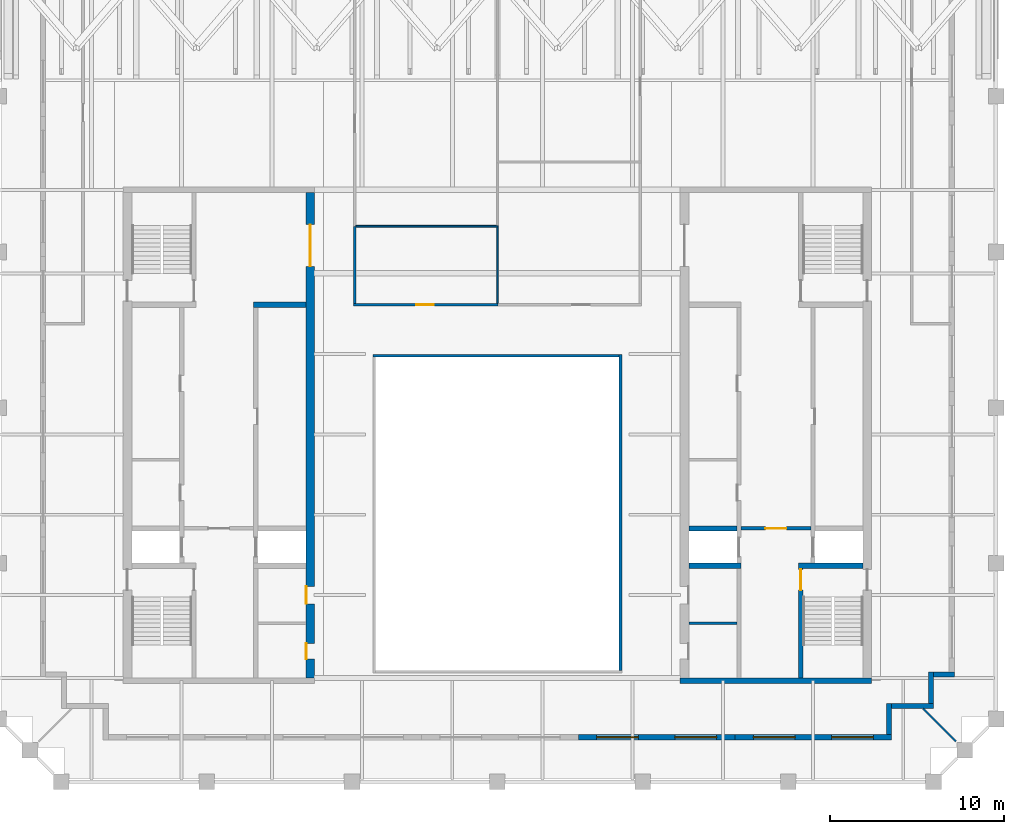
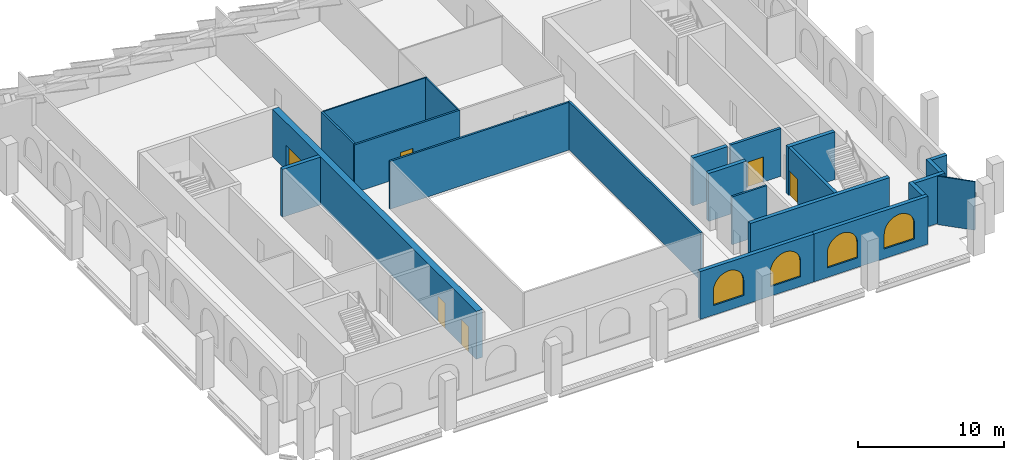
# One storey, part 4 of 8: 22 walls, 6 doors, 4 windows, 10 openings.
"""IFC4 building model written with IfcOpenShell, lengths in metres."""

from ifc_helpers import new_model, si_unit, direction, frame, frame_2d, origin, place, context, subcontext, project, spatial, polyline, rectangle, outline, extrude, material, layer, layer_set, type_object, element, fill, save


model = new_model("IFC4")

# Units and contexts
model_context = context("Model", 3, precision=1e-05, world=origin(), true_north=direction((0.0, 1.0)))
body_context = subcontext(model_context, "Body", "Model", "MODEL_VIEW")
ifc_project = project(units=[si_unit("LENGTHUNIT", "METRE"), si_unit("AREAUNIT", "SQUARE_METRE"), si_unit("VOLUMEUNIT", "CUBIC_METRE"), si_unit("PLANEANGLEUNIT", "RADIAN"), si_unit("MASSUNIT", "GRAM", prefix="KILO")], contexts=[model_context])

# Site, building, storey
site_placement = place(None, origin())
site = spatial("IfcSite", under=ifc_project, at=site_placement, CompositionType="ELEMENT")
building_placement = place(site_placement, origin())
building = spatial("IfcBuilding", under=site, at=building_placement, Name="Ogive Exchange Tower", CompositionType="ELEMENT")
storey_placement = place(building_placement, frame((0.0, 0.0, 381.60009765625)))
storey = spatial("IfcBuildingStorey", under=building, at=storey_placement, Name="C04", CompositionType="ELEMENT", Elevation=381.60009765625)

# Walls
ifc_material_1 = material(Name="Gypsum board partition")
ifc_layer_1 = layer(ifc_material_1, 0.14990234375)
ifc_layer_set_1 = layer_set([ifc_layer_1], Name="Core room partition 150 gypsum")
wall_type_1 = type_object("IfcWallType", Name="Core room partition 150 gypsum", PredefinedType="PARTITIONING", material=ifc_layer_set_1)
wall_1_placement = place(storey_placement, frame((11.0, 0.699951171875, 0.0), z_axis=(0.0, 0.0, 1.0), x_axis=(1.0, 0.0, 0.0)))
element("IfcWall", 1, at=wall_1_placement, inside=storey, type_object=wall_type_1, Name="E south room partition", PredefinedType="PARTITIONING", context=body_context, shape_type="SweptSolid", body=[
    extrude(rectangle(XDim=2.75, YDim=0.14990234375, at=frame_2d((1.375, 0.0))), origin(), (0.0, 0.0, 1.0), 4.0),
])
ifc_layer_2 = layer(ifc_material_1, 0.300048828125)
ifc_layer_set_2 = layer_set([ifc_layer_2], Name="Core room partition 300 gypsum")
wall_type_2 = type_object("IfcWallType", Name="Core room partition 300 gypsum", PredefinedType="PARTITIONING", material=ifc_layer_set_2)
wall_2_placement = place(storey_placement, frame((-14.0, 19.0, 0.0), z_axis=(0.0, 0.0, 1.0), x_axis=(1.0, 0.0, 0.0)))
element("IfcWall", 2, at=wall_2_placement, inside=storey, type_object=wall_type_2, Name="W row B room end wall 7", PredefinedType="PARTITIONING", context=body_context, shape_type="SweptSolid", body=[
    extrude(rectangle(XDim=3.0, YDim=0.300048828125, at=frame_2d((1.5, 0.0))), origin(), (0.0, 0.0, 1.0), 4.0),
])

# Wall, opening, door
ifc_material_2 = material(Name="Fire partition EI 60 150")
ifc_layer_3 = layer(ifc_material_2, 0.14990234375)
ifc_layer_set_3 = layer_set([ifc_layer_3], Name="Fire partition EI 60 150")
wall_type_3 = type_object("IfcWallType", Name="Fire partition EI 60 150", PredefinedType="PARTITIONING", material=ifc_layer_set_3)
wall_3_placement = place(storey_placement, frame((-8.27490234375, 19.0, 0.0), z_axis=(0.0, 0.0, 1.0), x_axis=(1.0, 0.0, 0.0)))
wall_3 = element("IfcWall", 3, at=wall_3_placement, inside=storey, type_object=wall_type_3, Name="C04-PWL-003", PredefinedType="PARTITIONING", context=body_context, shape_type="SweptSolid", body=[
    extrude(rectangle(XDim=8.324951171875, YDim=0.14990234375, at=frame_2d((4.16259765625, 0.0))), origin(), (0.0, 0.0, 1.0), 4.0),
])
opening_1_placement = place(wall_3_placement, frame((3.625, 0.0, 0.0)))
opening_1 = element("IfcOpeningElement", 4, at=opening_1_placement, cuts=wall_3, Name="Opening C04-I03", PredefinedType="OPENING", context=body_context, shape_type="SweptSolid", body=[
    extrude(rectangle(XDim=1.0, YDim=2.10009765625, at=frame_2d((0.5, 1.050048828125))), frame((0.0, 0.0849609375, 0.0), z_axis=(0.0, -1.0, 0.0), x_axis=(1.0, 0.0, 0.0)), (0.0, 0.0, 1.0), 0.169921875),
])
ifc_material_3 = material(Name="Fire door FD 30S 1000 x 2100")
door_type_1 = type_object("IfcDoorType", Name="Fire door FD 30S 1000 x 2100", OperationType="NOTDEFINED", PredefinedType="DOOR", material=ifc_material_3)
door_1_placement = place(opening_1_placement, origin())
door_1 = element("IfcDoor", 5, at=door_1_placement, inside=storey, type_object=door_type_1, Name="C04-IDR-003", ObjectType="DT3", OperationType="SINGLE_SWING_RIGHT", OverallHeight=2.10009765625, OverallWidth=1.0, PredefinedType="DOOR", context=body_context, shape_type="SweptSolid", body=[
    extrude(rectangle(XDim=1.0, YDim=2.10009765625, at=frame_2d((0.5, 1.050048828125))), frame((0.0, 0.02490234375, 0.0), z_axis=(0.0, -1.0, 0.0), x_axis=(1.0, 0.0, 0.0)), (0.0, 0.0, 1.0), 0.050048828125),
])
fill(opening_1, door_1)

# Walls
wall_4_placement = place(storey_placement, frame((-8.199951171875, 23.5, 0.0), z_axis=(0.0, 0.0, 1.0), x_axis=(0.0, -1.0, 0.0)))
element("IfcWall", 6, at=wall_4_placement, inside=storey, type_object=wall_type_3, Name="C04-PWL-004", PredefinedType="PARTITIONING", context=body_context, shape_type="SweptSolid", body=[
    extrude(rectangle(XDim=4.425048828125, YDim=0.14990234375, at=frame_2d((2.21240234375, 0.0))), origin(), (0.0, 0.0, 1.0), 4.0),
])
ifc_material_4 = material(Name="Fire-resisting glass in steel frame", Category="steel")
ifc_layer_4 = layer(ifc_material_4, 0.14990234375)
ifc_layer_set_4 = layer_set([ifc_layer_4], Name="Fire-rated glazed wall 150")
wall_type_4 = type_object("IfcWallType", Name="Fire-rated glazed wall 150", PredefinedType="STANDARD", material=ifc_layer_set_4)
wall_5_placement = place(storey_placement, frame((-7.14990234375, 16.074951171875, 0.0), z_axis=(0.0, 0.0, 1.0), x_axis=(1.0, 0.0, 0.0)))
element("IfcWall", 7, at=wall_5_placement, inside=storey, type_object=wall_type_4, Name="Nave enclosure wall 2", PredefinedType="STANDARD", context=body_context, shape_type="SweptSolid", body=[
    extrude(rectangle(XDim=14.14990234375, YDim=0.14990234375, at=frame_2d((7.074951171875, 0.0))), origin(), (0.0, 0.0, 1.0), 4.0),
])
wall_6_placement = place(storey_placement, frame((7.074951171875, 16.14990234375, 0.0), z_axis=(0.0, 0.0, 1.0), x_axis=(0.0, -1.0, 0.0)))
element("IfcWall", 8, at=wall_6_placement, inside=storey, type_object=wall_type_4, Name="Nave enclosure wall 3", PredefinedType="STANDARD", context=body_context, shape_type="SweptSolid", body=[
    extrude(rectangle(XDim=18.14990234375, YDim=0.14990234375, at=frame_2d((9.074951171875, 0.0))), origin(), (0.0, 0.0, 1.0), 4.0),
])
ifc_material_5 = material(Name="Laminated safety glass in steel frame", Category="steel")
ifc_layer_5 = layer(ifc_material_5, 0.10009765625)
ifc_layer_set_5 = layer_set([ifc_layer_5], Name="Loggia end screen 100")
wall_type_5 = type_object("IfcWallType", Name="Loggia end screen 100", PredefinedType="STANDARD", material=ifc_layer_set_5)
wall_7_placement = place(storey_placement, frame((24.449951171875, -4.199951171875, -0.050048828125), z_axis=(0.0, 0.0, 1.0), x_axis=(0.707106781187, -0.707106781187, 0.0)))
element("IfcWall", 9, at=wall_7_placement, inside=storey, type_object=wall_type_5, Name="Loggia end screen C1", PredefinedType="STANDARD", context=body_context, shape_type="SweptSolid", body=[
    extrude(rectangle(XDim=2.667236328125, YDim=0.10009765625, at=frame_2d((1.33349609375, 0.0))), origin(), (0.0, 0.0, 1.0), 4.050048828125),
])
ifc_material_6 = material(Name="Partition 100 gypsum")
ifc_layer_6 = layer(ifc_material_6, 0.10009765625)
ifc_layer_set_6 = layer_set([ifc_layer_6], Name="Partition 100 gypsum")
wall_type_6 = type_object("IfcWallType", Name="Partition 100 gypsum", PredefinedType="PARTITIONING", material=ifc_layer_set_6)
wall_8_placement = place(storey_placement, frame((-8.125, 23.5, 0.0), z_axis=(0.0, 0.0, 1.0), x_axis=(1.0, 0.0, 0.0)))
element("IfcWall", 10, at=wall_8_placement, inside=storey, type_object=wall_type_6, Name="C04-PWL-005", PredefinedType="PARTITIONING", context=body_context, shape_type="SweptSolid", body=[
    extrude(rectangle(XDim=8.175048828125, YDim=0.10009765625, at=frame_2d((4.08740234375, 0.0))), origin(), (0.0, 0.0, 1.0), 4.0),
])
wall_9_placement = place(storey_placement, frame((0.0, 19.074951171875, 0.0), z_axis=(0.0, 0.0, 1.0), x_axis=(0.0, 1.0, 0.0)))
element("IfcWall", 11, at=wall_9_placement, inside=storey, type_object=wall_type_6, Name="C04-PWL-007", PredefinedType="PARTITIONING", context=body_context, shape_type="SweptSolid", body=[
    extrude(rectangle(XDim=4.375, YDim=0.10009765625, at=frame_2d((2.1875, 0.0))), origin(), (0.0, 0.0, 1.0), 4.0),
])

# Wall, opening, door
ifc_material_7 = material(Name="Concrete C70/85", Category="concrete")
ifc_layer_7 = layer(ifc_material_7, 0.199951171875)
ifc_layer_set_7 = layer_set([ifc_layer_7], Name="RC core wall 200 C70/85")
wall_type_7 = type_object("IfcWallType", Name="RC core wall 200 C70/85", PredefinedType="SHEAR", material=ifc_layer_set_7)
wall_10_placement = place(storey_placement, frame((14.0, 6.142822265625, 0.0), z_axis=(0.0, 0.0, 1.0), x_axis=(1.0, 0.0, 0.0)))
wall_10 = element("IfcWall", 12, at=wall_10_placement, inside=storey, type_object=wall_type_7, Name="E firefighting lobby wall", PredefinedType="SHEAR", context=body_context, shape_type="SweptSolid", body=[
    extrude(rectangle(XDim=4.0, YDim=0.199951171875, at=frame_2d((2.0, 0.0))), origin(), (0.0, 0.0, 1.0), 4.0),
])
opening_2_placement = place(wall_10_placement, frame((1.39990234375, 0.0, 0.0)))
opening_2 = element("IfcOpeningElement", 13, at=opening_2_placement, cuts=wall_10, Name="Opening C04-C19", PredefinedType="OPENING", context=body_context, shape_type="SweptSolid", body=[
    extrude(rectangle(XDim=1.199951171875, YDim=2.10009765625, at=frame_2d((0.60009765625, 1.050048828125))), frame((0.0, 0.10986328125, 0.0), z_axis=(0.0, -1.0, 0.0), x_axis=(1.0, 0.0, 0.0)), (0.0, 0.0, 1.0), 0.219970703125),
])
ifc_material_8 = material(Name="Steel fire door", Category="steel")
door_type_2 = type_object("IfcDoorType", Name="Firefighting lobby door FD60 1200 x 2100", OperationType="NOTDEFINED", PredefinedType="DOOR", material=ifc_material_8)
door_2_placement = place(opening_2_placement, frame((1.199951171875, 0.0, 0.0), z_axis=(0.0, 0.0, 1.0), x_axis=(-1.0, 0.0, 0.0)))
door_2 = element("IfcDoor", 14, at=door_2_placement, inside=storey, type_object=door_type_2, Name="Firefighting lobby door", ObjectType="CD3", OperationType="SINGLE_SWING_RIGHT", OverallHeight=2.10009765625, OverallWidth=1.199951171875, PredefinedType="DOOR", context=body_context, shape_type="SweptSolid", body=[
    extrude(rectangle(XDim=1.199951171875, YDim=2.10009765625, at=frame_2d((0.60009765625, 1.050048828125))), frame((0.0, 0.02490234375, 0.0), z_axis=(0.0, -1.0, 0.0), x_axis=(1.0, 0.0, 0.0)), (0.0, 0.0, 1.0), 0.050048828125),
])
fill(opening_2, door_2)

ifc_layer_8 = layer(ifc_material_7, 0.25)
ifc_layer_set_8 = layer_set([ifc_layer_8], Name="RC core wall 250 C70/85")
wall_type_8 = type_object("IfcWallType", Name="RC core wall 250 C70/85", PredefinedType="SHEAR", material=ifc_layer_set_8)
wall_11_placement = place(storey_placement, frame((17.425048828125, -2.449951171875, 0.0), z_axis=(0.0, 0.0, 1.0), x_axis=(0.0, 1.0, 0.0)))
wall_11 = element("IfcWall", 15, at=wall_11_placement, inside=storey, type_object=wall_type_8, Name="E stair S front wall", PredefinedType="SHEAR", context=body_context, shape_type="SweptSolid", body=[
    extrude(rectangle(XDim=6.300048828125, YDim=0.25, at=frame_2d((3.14990234375, 0.0))), origin(), (0.0, 0.0, 1.0), 4.0),
])
opening_3_placement = place(wall_11_placement, frame((5.050048828125, 0.0, 0.0)))
opening_3 = element("IfcOpeningElement", 16, at=opening_3_placement, cuts=wall_11, Name="Opening C04-C21", PredefinedType="OPENING", context=body_context, shape_type="SweptSolid", body=[
    extrude(rectangle(XDim=1.199951171875, YDim=2.10009765625, at=frame_2d((0.60009765625, 1.050048828125))), frame((0.0, 0.135009765625, 0.0), z_axis=(0.0, -1.0, 0.0), x_axis=(1.0, 0.0, 0.0)), (0.0, 0.0, 1.0), 0.27001953125),
])
door_type_3 = type_object("IfcDoorType", Name="Stair door FD90 1200 x 2100", OperationType="NOTDEFINED", PredefinedType="DOOR", material=ifc_material_8)
door_3_placement = place(opening_3_placement, frame((1.199951171875, 0.0, 0.0), z_axis=(0.0, 0.0, 1.0), x_axis=(-1.0, 0.0, 0.0)))
door_3 = element("IfcDoor", 17, at=door_3_placement, inside=storey, type_object=door_type_3, Name="Stair door", ObjectType="CD5", OperationType="SINGLE_SWING_RIGHT", OverallHeight=2.10009765625, OverallWidth=1.199951171875, PredefinedType="DOOR", context=body_context, shape_type="SweptSolid", body=[
    extrude(rectangle(XDim=1.199951171875, YDim=2.10009765625, at=frame_2d((0.60009765625, 1.050048828125))), frame((0.0, 0.02490234375, 0.0), z_axis=(0.0, -1.0, 0.0), x_axis=(1.0, 0.0, 0.0)), (0.0, 0.0, 1.0), 0.050048828125),
])
fill(opening_3, door_3)

# Walls
ifc_layer_9 = layer(ifc_material_7, 0.300048828125)
ifc_layer_set_9 = layer_set([ifc_layer_9], Name="RC core wall 300 C70/85")
wall_type_9 = type_object("IfcWallType", Name="RC core wall 300 C70/85", PredefinedType="SHEAR", material=ifc_layer_set_9)
wall_12_placement = place(storey_placement, frame((10.5, -2.60009765625, 0.0), z_axis=(0.0, 0.0, 1.0), x_axis=(1.0, 0.0, 0.0)))
element("IfcWall", 18, at=wall_12_placement, inside=storey, type_object=wall_type_9, Name="E south end wall", PredefinedType="SHEAR", context=body_context, shape_type="SweptSolid", body=[
    extrude(rectangle(XDim=11.0, YDim=0.300048828125, at=frame_2d((5.5, 0.0))), origin(), (0.0, 0.0, 1.0), 4.0),
])
wall_13_placement = place(storey_placement, frame((17.300048828125, 4.0, 0.0), z_axis=(0.0, 0.0, 1.0), x_axis=(1.0, 0.0, 0.0)))
element("IfcWall", 19, at=wall_13_placement, inside=storey, type_object=wall_type_9, Name="E stair S north wall", PredefinedType="SHEAR", context=body_context, shape_type="SweptSolid", body=[
    extrude(rectangle(XDim=3.699951171875, YDim=0.300048828125, at=frame_2d((1.85009765625, 0.0))), origin(), (0.0, 0.0, 1.0), 4.0),
])
wall_14_placement = place(storey_placement, frame((11.0, 4.0, 0.0), z_axis=(0.0, 0.0, 1.0), x_axis=(1.0, 0.0, 0.0)))
element("IfcWall", 20, at=wall_14_placement, inside=storey, type_object=wall_type_9, Name="E row B divider 0", PredefinedType="SHEAR", context=body_context, shape_type="SweptSolid", body=[
    extrude(rectangle(XDim=3.0, YDim=0.300048828125, at=frame_2d((1.5, 0.0))), origin(), (0.0, 0.0, 1.0), 4.0),
])
wall_15_placement = place(storey_placement, frame((11.0, 6.142822265625, 0.0), z_axis=(0.0, 0.0, 1.0), x_axis=(1.0, 0.0, 0.0)))
element("IfcWall", 21, at=wall_15_placement, inside=storey, type_object=wall_type_9, Name="E row B divider 1", PredefinedType="SHEAR", context=body_context, shape_type="SweptSolid", body=[
    extrude(rectangle(XDim=2.75, YDim=0.300048828125, at=frame_2d((1.375, 0.0))), origin(), (0.0, 0.0, 1.0), 4.0),
])

# Wall, openings, doors
ifc_layer_10 = layer(ifc_material_7, 0.5)
ifc_layer_set_10 = layer_set([ifc_layer_10], Name="RC core wall 500 C70/85")
wall_type_10 = type_object("IfcWallType", Name="RC core wall 500 C70/85", PredefinedType="SHEAR", material=ifc_layer_set_10)
wall_16_placement = place(storey_placement, frame((-10.75, -2.449951171875, 0.0), z_axis=(0.0, 0.0, 1.0), x_axis=(0.0, 1.0, 0.0)))
wall_16 = element("IfcWall", 22, at=wall_16_placement, inside=storey, type_object=wall_type_10, Name="W inner wall", PredefinedType="SHEAR", context=body_context, shape_type="SweptSolid", body=[
    extrude(rectangle(XDim=27.89990234375, YDim=0.5, at=frame_2d((13.949951171875, 0.0))), origin(), (0.0, 0.0, 1.0), 4.0),
])
opening_4_placement = place(wall_16_placement, frame((23.64990234375, 0.0, 0.0)))
opening_4 = element("IfcOpeningElement", 23, at=opening_4_placement, cuts=wall_16, Name="Opening C04-C07", PredefinedType="OPENING", context=body_context, shape_type="SweptSolid", body=[
    extrude(rectangle(XDim=2.39990234375, YDim=2.10009765625, at=frame_2d((1.199951171875, 1.050048828125))), frame((0.0, 0.260009765625, 0.0), z_axis=(0.0, -1.0, 0.0), x_axis=(1.0, 0.0, 0.0)), (0.0, 0.0, 1.0), 0.52001953125),
])
opening_5_placement = place(wall_16_placement, frame((1.08740234375, 0.0, 0.0)))
opening_5 = element("IfcOpeningElement", 24, at=opening_5_placement, cuts=wall_16, Name="Opening C04-C12", PredefinedType="OPENING", context=body_context, shape_type="SweptSolid", body=[
    extrude(rectangle(XDim=0.89990234375, YDim=2.10009765625, at=frame_2d((0.449951171875, 1.050048828125))), frame((0.0, 0.260009765625, 0.0), z_axis=(0.0, -1.0, 0.0), x_axis=(1.0, 0.0, 0.0)), (0.0, 0.0, 1.0), 0.52001953125),
])
opening_6_placement = place(wall_16_placement, frame((4.262451171875, 0.0, 0.0)))
opening_6 = element("IfcOpeningElement", 25, at=opening_6_placement, cuts=wall_16, Name="Opening C04-C13", PredefinedType="OPENING", context=body_context, shape_type="SweptSolid", body=[
    extrude(rectangle(XDim=1.0, YDim=2.10009765625, at=frame_2d((0.5, 1.050048828125))), frame((0.0, 0.260009765625, 0.0), z_axis=(0.0, -1.0, 0.0), x_axis=(1.0, 0.0, 0.0)), (0.0, 0.0, 1.0), 0.52001953125),
])
ifc_material_9 = material(Name="Timber fire door", Category="wood")
door_type_4 = type_object("IfcDoorType", Name="Accessible WC door FD30S 1000 x 2100", OperationType="NOTDEFINED", PredefinedType="DOOR", material=ifc_material_9)
door_4_placement = place(opening_6_placement, frame((1.0, 0.4501953125, 0.0), z_axis=(0.0, 0.0, 1.0), x_axis=(-1.0, 0.0, 0.0)))
door_4 = element("IfcDoor", 26, at=door_4_placement, inside=storey, type_object=door_type_4, Name="Accessible WC door", ObjectType="CD7", OperationType="SINGLE_SWING_RIGHT", OverallHeight=2.10009765625, OverallWidth=1.0, PredefinedType="DOOR", context=body_context, shape_type="SweptSolid", body=[
    extrude(rectangle(XDim=1.0, YDim=2.10009765625, at=frame_2d((0.5, 1.050048828125))), frame((0.0, 0.25, 0.0), z_axis=(0.0, -1.0, 0.0), x_axis=(1.0, 0.0, 0.0)), (0.0, 0.0, 1.0), 0.050048828125),
])
fill(opening_6, door_4)
door_type_5 = type_object("IfcDoorType", Name="Core room door FD30S 900 x 2100", OperationType="NOTDEFINED", PredefinedType="DOOR", material=ifc_material_9)
door_5_placement = place(opening_5_placement, frame((0.89990234375, 0.4501953125, 0.0), z_axis=(0.0, 0.0, 1.0), x_axis=(-1.0, 0.0, 0.0)))
door_5 = element("IfcDoor", 27, at=door_5_placement, inside=storey, type_object=door_type_5, Name="Core room door", ObjectType="CD6", OperationType="SINGLE_SWING_RIGHT", OverallHeight=2.10009765625, OverallWidth=0.89990234375, PredefinedType="DOOR", context=body_context, shape_type="SweptSolid", body=[
    extrude(rectangle(XDim=0.89990234375, YDim=2.10009765625, at=frame_2d((0.449951171875, 1.050048828125))), frame((0.0, 0.25, 0.0), z_axis=(0.0, -1.0, 0.0), x_axis=(1.0, 0.0, 0.0)), (0.0, 0.0, 1.0), 0.050048828125),
])
fill(opening_5, door_5)
ifc_material_10 = material(Name="Glazed steel fire door", Category="steel")
door_type_6 = type_object("IfcDoorType", Name="Lift lobby double door FD60 2400 x 2100", OperationType="DOUBLE_DOOR_SINGLE_SWING", PredefinedType="DOOR", material=ifc_material_10)
door_6_placement = place(opening_4_placement, frame((2.39990234375, 0.0, 0.0), z_axis=(0.0, 0.0, 1.0), x_axis=(-1.0, 0.0, 0.0)))
door_6 = element("IfcDoor", 28, at=door_6_placement, inside=storey, type_object=door_type_6, Name="Lift lobby double door", ObjectType="CD4", OperationType="DOUBLE_DOOR_SINGLE_SWING", OverallHeight=2.10009765625, OverallWidth=2.39990234375, PredefinedType="DOOR", context=body_context, shape_type="SweptSolid", body=[
    extrude(rectangle(XDim=2.39990234375, YDim=2.10009765625, at=frame_2d((1.199951171875, 1.050048828125))), frame((0.0, 0.02490234375, 0.0), z_axis=(0.0, -1.0, 0.0), x_axis=(1.0, 0.0, 0.0)), (0.0, 0.0, 1.0), 0.050048828125),
])
fill(opening_4, door_6)

# Wall, openings, windows
ifc_material_11 = material(Name="Precast concrete C40/50", Category="concrete")
ifc_layer_11 = layer(ifc_material_11, 0.300048828125)
ifc_layer_set_11 = layer_set([ifc_layer_11], Name="Zinc-clad crown wall 300")
wall_type_11 = type_object("IfcWallType", Name="Zinc-clad crown wall 300", PredefinedType="STANDARD", material=ifc_layer_set_11)
wall_17_placement = place(storey_placement, frame((4.64990234375, -5.85009765625, 0.0), z_axis=(0.0, 0.0, 1.0), x_axis=(1.0, 0.0, 0.0)))
wall_17 = element("IfcWall", 29, at=wall_17_placement, inside=storey, type_object=wall_type_11, Name="Crown wall 7", PredefinedType="STANDARD", context=body_context, shape_type="SweptSolid", body=[
    extrude(rectangle(XDim=9.0, YDim=0.300048828125, at=frame_2d((4.5, 0.0))), origin(), (0.0, 0.0, 1.0), 4.0),
])
opening_7_placement = place(wall_17_placement, frame((1.050048828125, 0.0, 0.800048828125)))
opening_7 = element("IfcOpeningElement", 30, at=opening_7_placement, cuts=wall_17, Name="Opening WC25", PredefinedType="OPENING", context=body_context, shape_type="SweptSolid", body=[
    extrude(outline(polyline([(0.0, 0.0), (2.39990234375, 0.0), (2.39990234375, 1.25), (2.377197265625, 1.48779296875), (2.3095703125, 1.717041015625), (2.19970703125, 1.928955078125), (2.05126953125, 2.116455078125), (1.8701171875, 2.272216796875), (1.662841796875, 2.390625), (1.4365234375, 2.467529296875), (1.199951171875, 2.5), (0.96337890625, 2.467529296875), (0.737060546875, 2.390625), (0.52978515625, 2.272216796875), (0.3486328125, 2.116455078125), (0.2001953125, 1.928955078125), (0.09033203125, 1.717041015625), (0.022705078125, 1.48779296875), (0.0, 1.25), (0.0, 0.0)])), frame((0.0, 0.159912109375, 0.0), z_axis=(0.0, -1.0, 0.0), x_axis=(1.0, 0.0, 0.0)), (0.0, 0.0, 1.0), 0.320068359375),
])
opening_8_placement = place(wall_17_placement, frame((5.550048828125, 0.0, 0.800048828125)))
opening_8 = element("IfcOpeningElement", 31, at=opening_8_placement, cuts=wall_17, Name="Opening WC25", PredefinedType="OPENING", context=body_context, shape_type="SweptSolid", body=[
    extrude(outline(polyline([(0.0, 0.0), (2.39990234375, 0.0), (2.39990234375, 1.25), (2.377197265625, 1.48779296875), (2.3095703125, 1.717041015625), (2.19970703125, 1.928955078125), (2.05126953125, 2.116455078125), (1.8701171875, 2.272216796875), (1.662841796875, 2.390625), (1.4365234375, 2.467529296875), (1.199951171875, 2.5), (0.96337890625, 2.467529296875), (0.737060546875, 2.390625), (0.52978515625, 2.272216796875), (0.3486328125, 2.116455078125), (0.2001953125, 1.928955078125), (0.09033203125, 1.717041015625), (0.022705078125, 1.48779296875), (0.0, 1.25), (0.0, 0.0)])), frame((0.0, 0.159912109375, 0.0), z_axis=(0.0, -1.0, 0.0), x_axis=(1.0, 0.0, 0.0)), (0.0, 0.0, 1.0), 0.320068359375),
])
ifc_material_12 = material(Name="Clear glass in bronze frame", Category="glass")
window_type = type_object("IfcWindowType", Name="Crown lancet window 2400 x 2500", PartitioningType="DOUBLE_PANEL_VERTICAL", PredefinedType="WINDOW", material=ifc_material_12)
window_1_placement = place(opening_7_placement, origin())
window_1 = element("IfcWindow", 32, at=window_1_placement, inside=storey, type_object=window_type, Name="Crown lancet 7.1", OverallHeight=2.5, OverallWidth=2.39990234375, PartitioningType="DOUBLE_PANEL_VERTICAL", PredefinedType="WINDOW", context=body_context, shape_type="SweptSolid", body=[
    extrude(outline(polyline([(0.0, 0.0), (2.39990234375, 0.0), (2.39990234375, 1.25), (2.377197265625, 1.48779296875), (2.3095703125, 1.717041015625), (2.19970703125, 1.928955078125), (2.05126953125, 2.116455078125), (1.8701171875, 2.272216796875), (1.662841796875, 2.390625), (1.4365234375, 2.467529296875), (1.199951171875, 2.5), (0.96337890625, 2.467529296875), (0.737060546875, 2.390625), (0.52978515625, 2.272216796875), (0.3486328125, 2.116455078125), (0.2001953125, 1.928955078125), (0.09033203125, 1.717041015625), (0.022705078125, 1.48779296875), (0.0, 1.25), (0.0, 0.0)])), frame((0.0, 0.030029296875, 0.0), z_axis=(0.0, -1.0, 0.0), x_axis=(1.0, 0.0, 0.0)), (0.0, 0.0, 1.0), 0.06005859375),
])
fill(opening_7, window_1)
window_2_placement = place(opening_8_placement, origin())
window_2 = element("IfcWindow", 33, at=window_2_placement, inside=storey, type_object=window_type, Name="Crown lancet 7.2", OverallHeight=2.5, OverallWidth=2.39990234375, PartitioningType="DOUBLE_PANEL_VERTICAL", PredefinedType="WINDOW", context=body_context, shape_type="SweptSolid", body=[
    extrude(outline(polyline([(0.0, 0.0), (2.39990234375, 0.0), (2.39990234375, 1.25), (2.377197265625, 1.48779296875), (2.3095703125, 1.717041015625), (2.19970703125, 1.928955078125), (2.05126953125, 2.116455078125), (1.8701171875, 2.272216796875), (1.662841796875, 2.390625), (1.4365234375, 2.467529296875), (1.199951171875, 2.5), (0.96337890625, 2.467529296875), (0.737060546875, 2.390625), (0.52978515625, 2.272216796875), (0.3486328125, 2.116455078125), (0.2001953125, 1.928955078125), (0.09033203125, 1.717041015625), (0.022705078125, 1.48779296875), (0.0, 1.25), (0.0, 0.0)])), frame((0.0, 0.030029296875, 0.0), z_axis=(0.0, -1.0, 0.0), x_axis=(1.0, 0.0, 0.0)), (0.0, 0.0, 1.0), 0.06005859375),
])
fill(opening_8, window_2)

wall_18_placement = place(storey_placement, frame((13.64990234375, -5.85009765625, 0.0), z_axis=(0.0, 0.0, 1.0), x_axis=(1.0, 0.0, 0.0)))
wall_18 = element("IfcWall", 34, at=wall_18_placement, inside=storey, type_object=wall_type_11, Name="Crown wall 8", PredefinedType="STANDARD", context=body_context, shape_type="SweptSolid", body=[
    extrude(rectangle(XDim=9.0, YDim=0.300048828125, at=frame_2d((4.5, 0.0))), origin(), (0.0, 0.0, 1.0), 4.0),
])
opening_9_placement = place(wall_18_placement, frame((1.050048828125, 0.0, 0.800048828125)))
opening_9 = element("IfcOpeningElement", 35, at=opening_9_placement, cuts=wall_18, Name="Opening WC25", PredefinedType="OPENING", context=body_context, shape_type="SweptSolid", body=[
    extrude(outline(polyline([(0.0, 0.0), (2.39990234375, 0.0), (2.39990234375, 1.25), (2.377197265625, 1.48779296875), (2.3095703125, 1.717041015625), (2.19970703125, 1.928955078125), (2.05126953125, 2.116455078125), (1.8701171875, 2.272216796875), (1.662841796875, 2.390625), (1.4365234375, 2.467529296875), (1.199951171875, 2.5), (0.96337890625, 2.467529296875), (0.737060546875, 2.390625), (0.52978515625, 2.272216796875), (0.3486328125, 2.116455078125), (0.2001953125, 1.928955078125), (0.09033203125, 1.717041015625), (0.022705078125, 1.48779296875), (0.0, 1.25), (0.0, 0.0)])), frame((0.0, 0.159912109375, 0.0), z_axis=(0.0, -1.0, 0.0), x_axis=(1.0, 0.0, 0.0)), (0.0, 0.0, 1.0), 0.320068359375),
])
opening_10_placement = place(wall_18_placement, frame((5.550048828125, 0.0, 0.800048828125)))
opening_10 = element("IfcOpeningElement", 36, at=opening_10_placement, cuts=wall_18, Name="Opening WC25", PredefinedType="OPENING", context=body_context, shape_type="SweptSolid", body=[
    extrude(outline(polyline([(0.0, 0.0), (2.39990234375, 0.0), (2.39990234375, 1.25), (2.377197265625, 1.48779296875), (2.3095703125, 1.717041015625), (2.19970703125, 1.928955078125), (2.05126953125, 2.116455078125), (1.8701171875, 2.272216796875), (1.662841796875, 2.390625), (1.4365234375, 2.467529296875), (1.199951171875, 2.5), (0.96337890625, 2.467529296875), (0.737060546875, 2.390625), (0.52978515625, 2.272216796875), (0.3486328125, 2.116455078125), (0.2001953125, 1.928955078125), (0.09033203125, 1.717041015625), (0.022705078125, 1.48779296875), (0.0, 1.25), (0.0, 0.0)])), frame((0.0, 0.159912109375, 0.0), z_axis=(0.0, -1.0, 0.0), x_axis=(1.0, 0.0, 0.0)), (0.0, 0.0, 1.0), 0.320068359375),
])
window_3_placement = place(opening_9_placement, origin())
window_3 = element("IfcWindow", 37, at=window_3_placement, inside=storey, type_object=window_type, Name="Crown lancet 8.1", OverallHeight=2.5, OverallWidth=2.39990234375, PartitioningType="DOUBLE_PANEL_VERTICAL", PredefinedType="WINDOW", context=body_context, shape_type="SweptSolid", body=[
    extrude(outline(polyline([(0.0, 0.0), (2.39990234375, 0.0), (2.39990234375, 1.25), (2.377197265625, 1.48779296875), (2.3095703125, 1.717041015625), (2.19970703125, 1.928955078125), (2.05126953125, 2.116455078125), (1.8701171875, 2.272216796875), (1.662841796875, 2.390625), (1.4365234375, 2.467529296875), (1.199951171875, 2.5), (0.96337890625, 2.467529296875), (0.737060546875, 2.390625), (0.52978515625, 2.272216796875), (0.3486328125, 2.116455078125), (0.2001953125, 1.928955078125), (0.09033203125, 1.717041015625), (0.022705078125, 1.48779296875), (0.0, 1.25), (0.0, 0.0)])), frame((0.0, 0.030029296875, 0.0), z_axis=(0.0, -1.0, 0.0), x_axis=(1.0, 0.0, 0.0)), (0.0, 0.0, 1.0), 0.06005859375),
])
fill(opening_9, window_3)
window_4_placement = place(opening_10_placement, origin())
window_4 = element("IfcWindow", 38, at=window_4_placement, inside=storey, type_object=window_type, Name="Crown lancet 8.2", OverallHeight=2.5, OverallWidth=2.39990234375, PartitioningType="DOUBLE_PANEL_VERTICAL", PredefinedType="WINDOW", context=body_context, shape_type="SweptSolid", body=[
    extrude(outline(polyline([(0.0, 0.0), (2.39990234375, 0.0), (2.39990234375, 1.25), (2.377197265625, 1.48779296875), (2.3095703125, 1.717041015625), (2.19970703125, 1.928955078125), (2.05126953125, 2.116455078125), (1.8701171875, 2.272216796875), (1.662841796875, 2.390625), (1.4365234375, 2.467529296875), (1.199951171875, 2.5), (0.96337890625, 2.467529296875), (0.737060546875, 2.390625), (0.52978515625, 2.272216796875), (0.3486328125, 2.116455078125), (0.2001953125, 1.928955078125), (0.09033203125, 1.717041015625), (0.022705078125, 1.48779296875), (0.0, 1.25), (0.0, 0.0)])), frame((0.0, 0.030029296875, 0.0), z_axis=(0.0, -1.0, 0.0), x_axis=(1.0, 0.0, 0.0)), (0.0, 0.0, 1.0), 0.06005859375),
])
fill(opening_10, window_4)

# Walls
wall_19_placement = place(storey_placement, frame((22.5, -5.699951171875, 0.0), z_axis=(0.0, 0.0, 1.0), x_axis=(0.0, 1.0, 0.0)))
element("IfcWall", 39, at=wall_19_placement, inside=storey, type_object=wall_type_11, Name="Crown wall 9", PredefinedType="STANDARD", context=body_context, shape_type="SweptSolid", body=[
    extrude(rectangle(XDim=1.800048828125, YDim=0.300048828125, at=frame_2d((0.89990234375, 0.0))), origin(), (0.0, 0.0, 1.0), 4.0),
])
wall_20_placement = place(storey_placement, frame((22.64990234375, -4.050048828125, 0.0), z_axis=(0.0, 0.0, 1.0), x_axis=(1.0, 0.0, 0.0)))
element("IfcWall", 40, at=wall_20_placement, inside=storey, type_object=wall_type_11, Name="Crown wall 10", PredefinedType="STANDARD", context=body_context, shape_type="SweptSolid", body=[
    extrude(rectangle(XDim=2.400146484375, YDim=0.300048828125, at=frame_2d((1.2001953125, 0.0))), origin(), (0.0, 0.0, 1.0), 4.0),
])
wall_21_placement = place(storey_placement, frame((24.89990234375, -3.89990234375, 0.0), z_axis=(0.0, 0.0, 1.0), x_axis=(0.0, 1.0, 0.0)))
element("IfcWall", 41, at=wall_21_placement, inside=storey, type_object=wall_type_11, Name="Crown wall 11", PredefinedType="STANDARD", context=body_context, shape_type="SweptSolid", body=[
    extrude(rectangle(XDim=1.7998046875, YDim=0.300048828125, at=frame_2d((0.89990234375, 0.0))), origin(), (0.0, 0.0, 1.0), 4.0),
])
wall_22_placement = place(storey_placement, frame((25.050048828125, -2.25, 0.0), z_axis=(0.0, 0.0, 1.0), x_axis=(1.0, 0.0, 0.0)))
element("IfcWall", 42, at=wall_22_placement, inside=storey, type_object=wall_type_11, Name="Crown wall 12", PredefinedType="STANDARD", context=body_context, shape_type="SweptSolid", body=[
    extrude(rectangle(XDim=1.199951171875, YDim=0.300048828125, at=frame_2d((0.60009765625, 0.0))), origin(), (0.0, 0.0, 1.0), 4.0),
])

save(model, "model.ifc")
